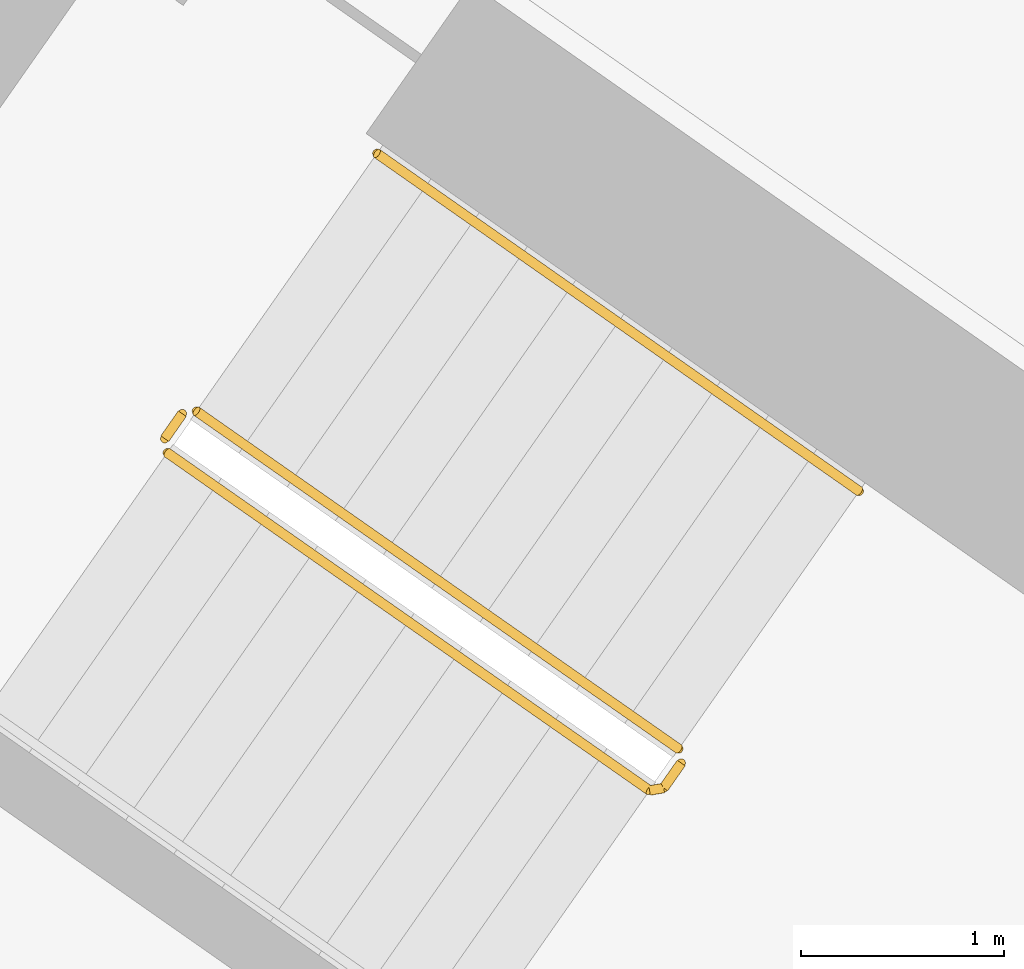
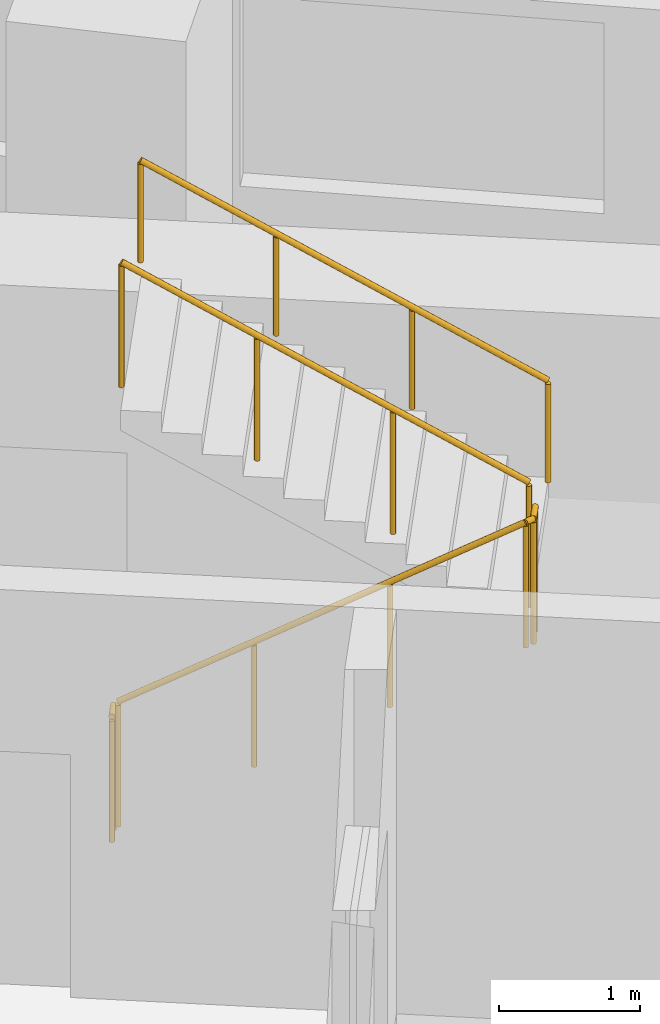
# One storey, part 28 of 35: 4 railings.
"""IFC4 building model written with IfcOpenShell, lengths in metres."""

from ifc_helpers import new_model, si_unit, direction, frame, origin, origin_2d, place, context, subcontext, project, spatial, circle, extrude, material, type_object, element, save


model = new_model("IFC4")

# Units and contexts
model_context = context("Model", 3, precision=1e-05, world=origin(), true_north=direction((0.0, 1.0)))
body_context = subcontext(model_context, "Body", "Model", "MODEL_VIEW")
ifc_project = project(units=[si_unit("LENGTHUNIT", "METRE"), si_unit("AREAUNIT", "SQUARE_METRE"), si_unit("VOLUMEUNIT", "CUBIC_METRE"), si_unit("PLANEANGLEUNIT", "RADIAN"), si_unit("MASSUNIT", "GRAM", prefix="KILO")], contexts=[model_context])

# Site, building, storey
site_placement = place(None, origin())
site = spatial("IfcSite", under=ifc_project, at=site_placement, CompositionType="ELEMENT")
building_placement = place(site_placement, origin())
building = spatial("IfcBuilding", under=site, at=building_placement, Name="Qamariyya Broadcast Tower", CompositionType="ELEMENT")
storey_placement = place(building_placement, frame((0.0, 0.0, 40.5)))
storey = spatial("IfcBuildingStorey", under=building, at=storey_placement, Name="L06", CompositionType="ELEMENT", Elevation=40.5)

# Railings
ifc_material_1 = material(Name="Painted steel", Category="steel")
railing_type_1 = type_object("IfcRailingType", Name="Stair guard", PredefinedType="GUARDRAIL", material=ifc_material_1)
railing_1_placement = place(storey_placement, frame((-41.146728515625, -48.52490234375, 0.172607421875)))
element("IfcRailing", 1, at=railing_1_placement, inside=storey, type_object=railing_type_1, Name="L06 ST-W2 stair guard 1", PredefinedType="GUARDRAIL", context=body_context, shape_type="SweptSolid", body=[
    extrude(circle(Radius=0.02392578125, at=origin_2d()), frame((0.0, 0.0, 1.076171875), z_axis=(0.703770094002, -0.492783725636, 0.511734163933), x_axis=(0.573575343427, 0.819152809562, 0.0)), (0.0, 0.0, 1.0), 3.37548828125),
    extrude(circle(Radius=0.02392578125, at=origin_2d()), frame((2.37548828125, -1.663330078125, 2.80322265625), z_axis=(0.985059694769, 0.172213233351, 0.0), x_axis=(-0.172213233351, 0.985059694769, 0.0)), (0.0, 0.0, 1.0), 0.07080078125),
    extrude(circle(Radius=0.02392578125, at=origin_2d()), frame((2.4453125, -1.651123046875, 2.80322265625), z_axis=(0.572588637393, 0.819842821722, 0.0), x_axis=(-0.819842821722, 0.572588637393, 0.0)), (0.0, 0.0, 1.0), 0.150146484375),
    extrude(circle(Radius=0.02099609375, at=origin_2d()), origin(), (0.0, 0.0, 1.0), 1.052001953125),
    extrude(circle(Radius=0.02099609375, at=origin_2d()), frame((0.791748046875, -0.554443359375, 0.57568359375)), (0.0, 0.0, 1.0), 1.052001953125),
    extrude(circle(Radius=0.02099609375, at=origin_2d()), frame((1.583740234375, -1.10888671875, 1.151611328125)), (0.0, 0.0, 1.0), 1.052001953125),
    extrude(circle(Radius=0.02099609375, at=origin_2d()), frame((2.37548828125, -1.663330078125, 1.727294921875)), (0.0, 0.0, 1.0), 1.052001953125),
    extrude(circle(Radius=0.02099609375, at=origin_2d()), frame((2.4453125, -1.651123046875, 1.727294921875)), (0.0, 0.0, 1.0), 1.052001953125),
    extrude(circle(Radius=0.02099609375, at=origin_2d()), frame((2.53125, -1.528076171875, 1.727294921875)), (0.0, 0.0, 1.0), 1.052001953125),
])
railing_2_placement = place(storey_placement, frame((-38.627685546875, -49.9833984375, 2.07275390625)))
element("IfcRailing", 2, at=railing_2_placement, inside=storey, type_object=railing_type_1, Name="L06 ST-W2 stair guard 2", PredefinedType="GUARDRAIL", context=body_context, shape_type="SweptSolid", body=[
    extrude(circle(Radius=0.02392578125, at=origin_2d()), frame((0.0, 0.0, 1.076171875), z_axis=(-0.703770094002, 0.492783725636, 0.511734163933), x_axis=(-0.573575343427, -0.819152809562, 0.0)), (0.0, 0.0, 1.0), 3.37548828125),
    extrude(circle(Radius=0.02099609375, at=origin_2d()), origin(), (0.0, 0.0, 1.0), 1.052001953125),
    extrude(circle(Radius=0.02099609375, at=origin_2d()), frame((-0.791748046875, 0.554443359375, 0.57568359375)), (0.0, 0.0, 1.0), 1.052001953125),
    extrude(circle(Radius=0.02099609375, at=origin_2d()), frame((-1.583740234375, 1.10888671875, 1.151611328125)), (0.0, 0.0, 1.0), 1.052001953125),
    extrude(circle(Radius=0.02099609375, at=origin_2d()), frame((-2.37548828125, 1.663330078125, 1.727294921875)), (0.0, 0.0, 1.0), 1.052001953125),
])
railing_3_placement = place(storey_placement, frame((-41.158935546875, -48.455322265625, 0.0)))
element("IfcRailing", 3, at=railing_3_placement, inside=storey, type_object=railing_type_1, Name="L06 ST-W2 stair guard 3", PredefinedType="GUARDRAIL", context=body_context, shape_type="SweptSolid", body=[
    extrude(circle(Radius=0.02392578125, at=origin_2d()), frame((0.0, 0.0, 1.076171875), z_axis=(0.572588637393, 0.819842821722, 0.0), x_axis=(-0.819842821722, 0.572588637393, 0.0)), (0.0, 0.0, 1.0), 0.150146484375),
    extrude(circle(Radius=0.02099609375, at=origin_2d()), origin(), (0.0, 0.0, 1.0), 1.052001953125),
    extrude(circle(Radius=0.02099609375, at=origin_2d()), frame((0.0859375, 0.123046875, 0.0)), (0.0, 0.0, 1.0), 1.052001953125),
])
ifc_material_2 = material(Name="Stainless steel", Category="steel")
railing_type_2 = type_object("IfcRailingType", Name="Stair handrail", PredefinedType="HANDRAIL", material=ifc_material_2)
railing_4_placement = place(storey_placement, frame((-37.73876953125, -48.7138671875, 2.07275390625)))
element("IfcRailing", 4, at=railing_4_placement, inside=storey, type_object=railing_type_2, Name="L06 ST-W2 stair handrail 2", PredefinedType="HANDRAIL", context=body_context, shape_type="SweptSolid", body=[
    extrude(circle(Radius=0.02392578125, at=origin_2d()), frame((0.0, 0.0, 0.8759765625), z_axis=(-0.703745009021, 0.492838488332, 0.511715923826), x_axis=(-0.573631830683, -0.819113253969, 0.0)), (0.0, 0.0, 1.0), 3.37548828125),
    extrude(circle(Radius=0.02099609375, at=origin_2d()), origin(), (0.0, 0.0, 1.0), 0.851806640625),
    extrude(circle(Radius=0.02099609375, at=origin_2d()), frame((-0.791748046875, 0.554443359375, 0.57568359375)), (0.0, 0.0, 1.0), 0.851806640625),
    extrude(circle(Radius=0.02099609375, at=origin_2d()), frame((-1.583740234375, 1.109130859375, 1.151611328125)), (0.0, 0.0, 1.0), 0.851806640625),
    extrude(circle(Radius=0.02099609375, at=origin_2d()), frame((-2.37548828125, 1.66357421875, 1.727294921875)), (0.0, 0.0, 1.0), 0.851806640625),
])

save(model, "model.ifc")
